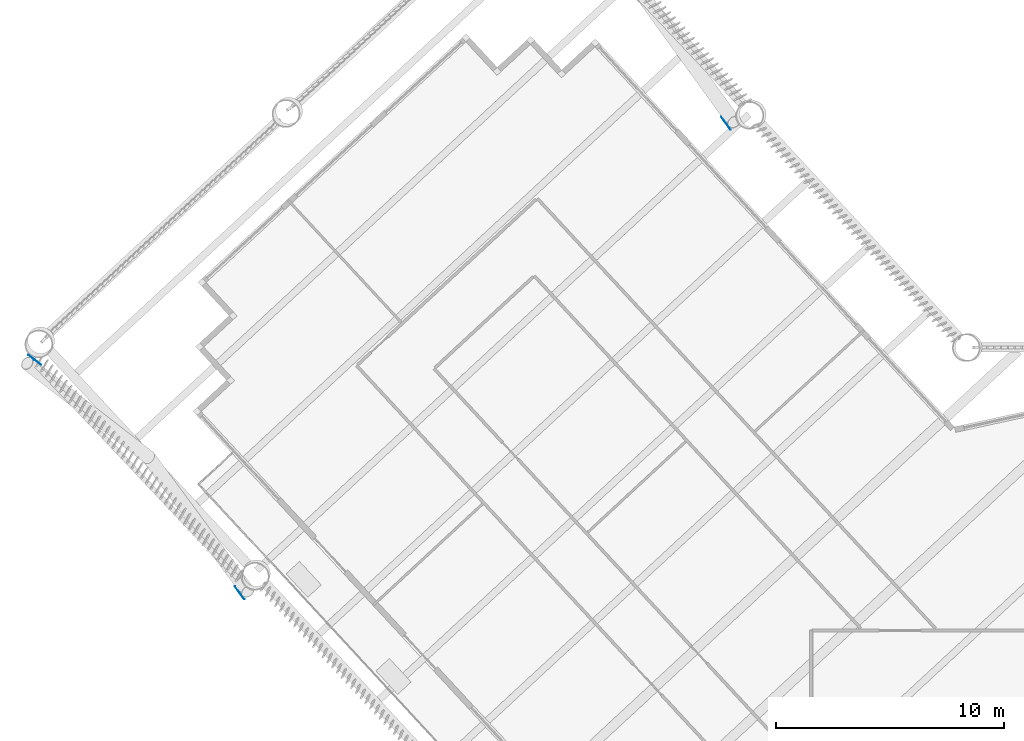
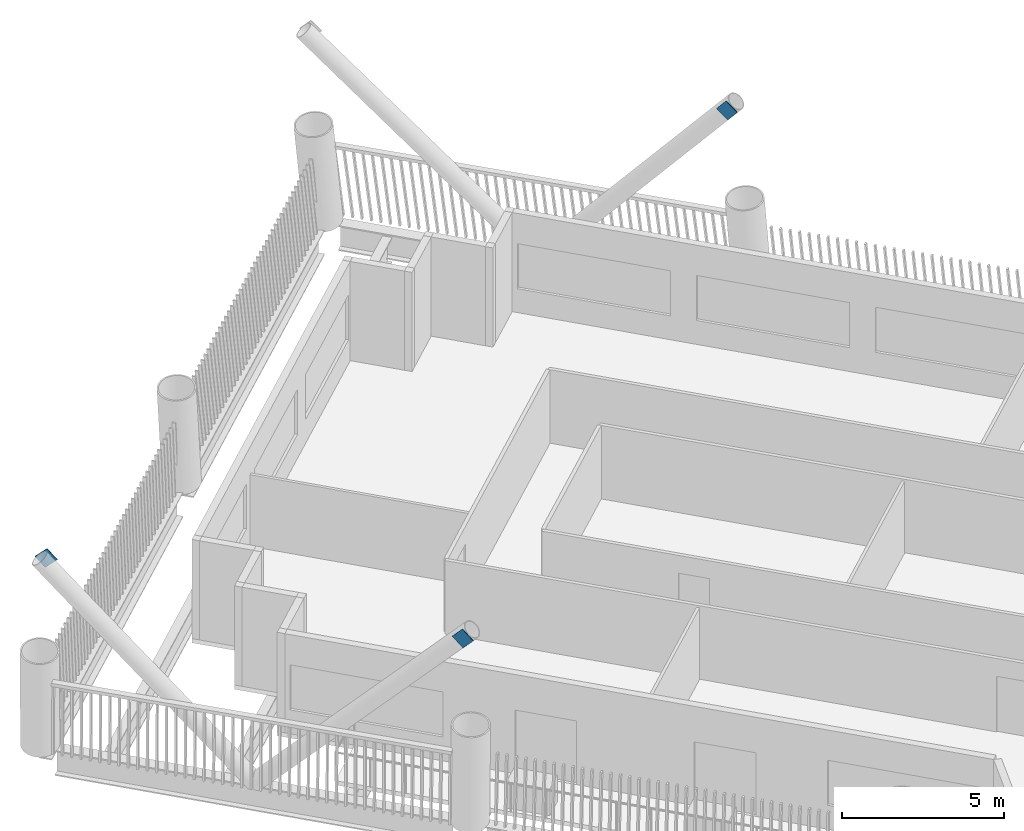
# One storey, part 12 of 22: 3 discrete accessories.
"""IFC4 building model written with IfcOpenShell, lengths in metres."""

from ifc_helpers import new_model, si_unit, direction, frame, origin, origin_2d, place, context, subcontext, project, spatial, rectangle, extrude, material, material_profile, profile_set, type_object, element, save


model = new_model("IFC4")

# Units and contexts
model_context = context("Model", 3, precision=1e-05, world=origin(), true_north=direction((0.0, 1.0)))
body_context = subcontext(model_context, "Body", "Model", "MODEL_VIEW")
ifc_project = project(units=[si_unit("LENGTHUNIT", "METRE"), si_unit("AREAUNIT", "SQUARE_METRE"), si_unit("VOLUMEUNIT", "CUBIC_METRE"), si_unit("PLANEANGLEUNIT", "RADIAN"), si_unit("MASSUNIT", "GRAM", prefix="KILO")], contexts=[model_context])

# Site, building, storey
site_placement = place(None, origin())
site = spatial("IfcSite", under=ifc_project, at=site_placement, CompositionType="ELEMENT")
building_placement = place(site_placement, origin())
building = spatial("IfcBuilding", under=site, at=building_placement, Name="Tarsis Ring Headquarters", CompositionType="ELEMENT")
storey_placement = place(building_placement, frame((0.0, 0.0, 63.39990234375)))
storey = spatial("IfcBuildingStorey", under=building, at=storey_placement, Name="L13", CompositionType="ELEMENT", Elevation=63.39990234375)

# Discrete accessories
ifc_material = material(Name="Structural steel S355", Category="steel")
ifc_material_profile = material_profile(ifc_material, rectangle(XDim=0.02490234375, YDim=0.5, at=origin_2d()), Name="PL 25x500")
ifc_profile_set = profile_set([ifc_material_profile], Name="Structural steel S355")
discrete_accessory_type = type_object("IfcDiscreteAccessoryType", Name="Gusset plate Exo brace 25", PredefinedType="BRACKET", material=ifc_profile_set)
discrete_accessory_1_placement = place(storey_placement, frame((-16.6318359375, 38.076171875, 7.800048828125), z_axis=(-0.381012517377, 0.528532748464, -0.758605691649), x_axis=(-0.811192920204, -0.584778630091, 0.0)))
element("IfcDiscreteAccessory", 1, at=discrete_accessory_1_placement, inside=storey, type_object=discrete_accessory_type, Name="Gusset plate GP5", PredefinedType="BRACKET", context=body_context, shape_type="SweptSolid", body=[
    extrude(rectangle(XDim=0.02490234375, YDim=0.5, at=origin_2d()), origin(), (0.0, 0.0, 1.0), 0.499755859375),
])
discrete_accessory_2_placement = place(storey_placement, frame((-37.922119140625, 17.51123046875, 7.800048828125), z_axis=(-0.406136724064, 0.550627673972, -0.729288780952), x_axis=(-0.804768827118, -0.593588354754, 0.0)))
element("IfcDiscreteAccessory", 2, at=discrete_accessory_2_placement, inside=storey, type_object=discrete_accessory_type, Name="Gusset plate GP5", PredefinedType="BRACKET", context=body_context, shape_type="SweptSolid", body=[
    extrude(rectangle(XDim=0.02490234375, YDim=0.5, at=origin_2d()), origin(), (0.0, 0.0, 1.0), 0.500244140625),
])
discrete_accessory_3_placement = place(storey_placement, frame((-47.1298828125, 27.951171875, 7.800048828125), z_axis=(0.516155923704, -0.399935384592, -0.757386790601), x_axis=(0.612489897904, 0.790478415243, 0.0)))
element("IfcDiscreteAccessory", 3, at=discrete_accessory_3_placement, inside=storey, type_object=discrete_accessory_type, Name="Gusset plate GP5", PredefinedType="BRACKET", context=body_context, shape_type="SweptSolid", body=[
    extrude(rectangle(XDim=0.02490234375, YDim=0.5, at=origin_2d()), origin(), (0.0, 0.0, 1.0), 0.5),
])

save(model, "model.ifc")
